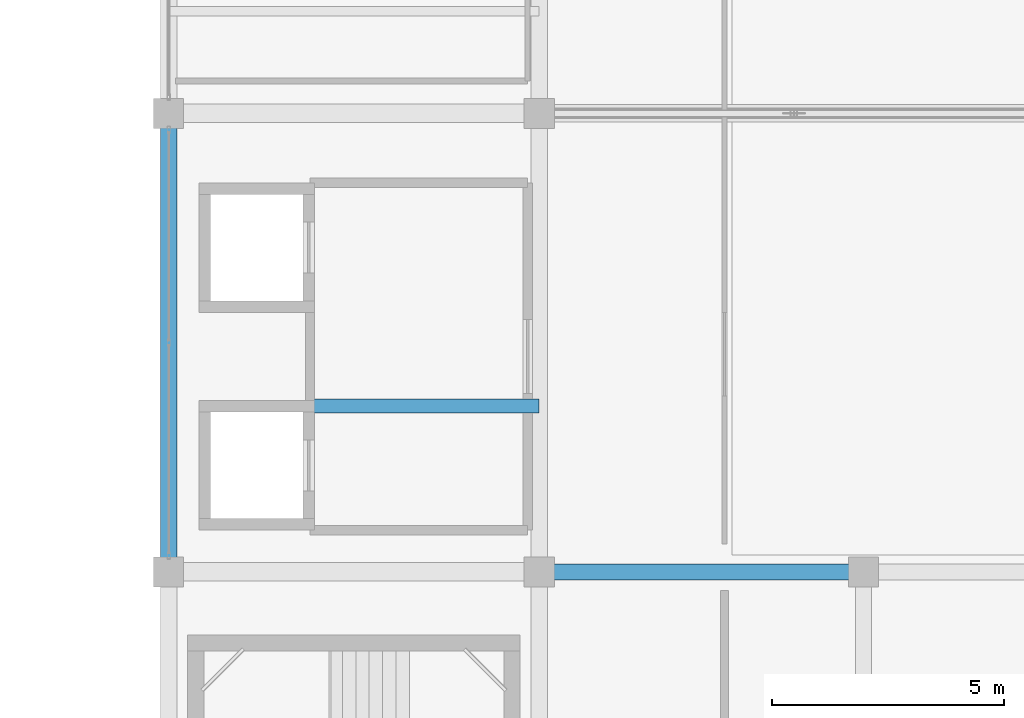
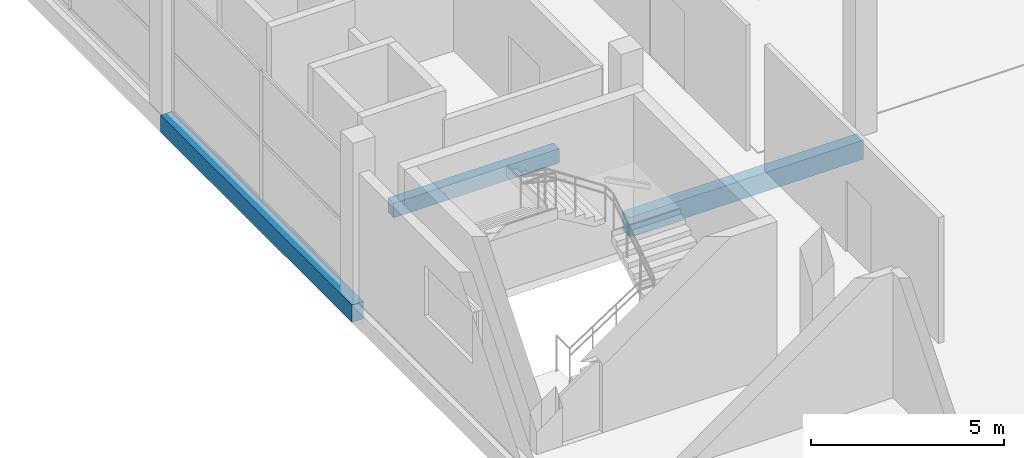
# One storey, part 7 of 58: 3 beams.
"""IFC4 building model written with IfcOpenShell, lengths in metres."""

import ifcopenshell
import ifcopenshell.guid

model = None  # the IFC model being written
_history = None  # IfcOwnerHistory: only IFC2X3 demands one
_inside = {}  # id of a spatial element -> (the spatial element, [elements in it])
_under = {}  # id of a project, library or spatial element -> (it, [spatial elements below it])
_declared = {}  # id of a project -> (the project, [libraries it declares])
_typed = {}  # id of a type object -> (the type object, [elements of that type])
_made_of = {}  # id of a material, layer set ... -> (it, [elements and type objects made of it])


def new_model(schema):
    """Start an empty IFC model of exactly this schema.

    Asked for "IFC4X3", IfcOpenShell would pick the latest addendum, in which some entities
    have other attributes; the version numbers below select the first issue.
    IFC2X3 requires an IfcOwnerHistory on every rooted entity: one is made here for all.
    """
    global model, _history
    if schema == "IFC4X3":
        model = ifcopenshell.file(schema_version=(4, 3, 0, 0))
    else:
        model = ifcopenshell.file(schema=schema)
    _inside.clear()
    _under.clear()
    _declared.clear()
    _typed.clear()
    _made_of.clear()
    _history = None
    if model.schema == "IFC2X3":
        org = make("IfcOrganization", Name="unknown")
        user = make(
            "IfcPersonAndOrganization",
            ThePerson=make("IfcPerson", FamilyName="unknown"),
            TheOrganization=org,
        )
        app = make(
            "IfcApplication",
            ApplicationDeveloper=org,
            Version="unknown",
            ApplicationFullName="unknown",
            ApplicationIdentifier="unknown",
        )
        _history = make(
            "IfcOwnerHistory",
            OwningUser=user,
            OwningApplication=app,
            ChangeAction="ADDED",
            CreationDate=0,
        )
    return model


def make(cls, **values):
    """One entity of the class cls with the attributes given. An attribute that is None is left unset."""
    return model.create_entity(
        cls, **{name: value for name, value in values.items() if value is not None}
    )


def rooted(cls, **values):
    """An entity with a GlobalId (a new one), such as an element, a storey or a relation."""
    return make(cls, GlobalId=ifcopenshell.guid.new(), OwnerHistory=_history, **values)


def si_unit(unit_type, name, prefix=None):
    """IfcSIUnit, for example si_unit("LENGTHUNIT", "METRE", prefix="MILLI")."""
    return make("IfcSIUnit", UnitType=unit_type, Prefix=prefix, Name=name)


def assignment(units):
    """IfcUnitAssignment: the units of a project."""
    return None if units is None else make("IfcUnitAssignment", Units=units)


def point(xyz):
    """IfcCartesianPoint."""
    return None if xyz is None else make("IfcCartesianPoint", Coordinates=xyz)


def direction(xyz):
    """IfcDirection."""
    return None if xyz is None else make("IfcDirection", DirectionRatios=xyz)


def frame(location, z_axis=None, x_axis=None):
    """IfcAxis2Placement3D, a coordinate frame: its origin and axes. An axis left out is left unset."""
    return make(
        "IfcAxis2Placement3D",
        Location=point(location),
        Axis=direction(z_axis),
        RefDirection=direction(x_axis),
    )


def frame_2d(location, x_axis=None):
    """IfcAxis2Placement2D, a coordinate frame in the plane: its origin and x axis."""
    return make(
        "IfcAxis2Placement2D", Location=point(location), RefDirection=direction(x_axis)
    )


def origin():
    """The frame at (0, 0, 0) with its axes left unset."""
    return frame((0.0, 0.0, 0.0))


def origin_2d():
    """The frame at (0, 0) in the plane with its x axis left unset."""
    return frame_2d((0.0, 0.0))


def place(relative_to, where):
    """IfcLocalPlacement: puts the frame where relative to a parent placement (None: the world)."""
    return make(
        "IfcLocalPlacement", PlacementRelTo=relative_to, RelativePlacement=where
    )


def context(
    kind, dimensions, precision=None, world=None, true_north=None, identifier=None
):
    """IfcGeometricRepresentationContext, for example the 3D "Model" context."""
    return make(
        "IfcGeometricRepresentationContext",
        ContextIdentifier=identifier,
        ContextType=kind,
        CoordinateSpaceDimension=dimensions,
        Precision=precision,
        WorldCoordinateSystem=world,
        TrueNorth=true_north,
    )


def subcontext(parent, identifier, kind, view, scale=None):
    """IfcGeometricRepresentationSubContext, for example "Body" below "Model"."""
    return make(
        "IfcGeometricRepresentationSubContext",
        ContextIdentifier=identifier,
        ContextType=kind,
        ParentContext=parent,
        TargetScale=scale,
        TargetView=view,
    )


def project(units=None, contexts=None):
    """IfcProject with its units and contexts."""
    return rooted(
        "IfcProject",
        Name="project",
        RepresentationContexts=contexts,
        UnitsInContext=assignment(units),
    )


def spatial(cls, under=None, at=None, **own):
    """A site, building, storey or space (cls), placed at a placement, below another one or the project."""
    s = rooted(cls, ObjectPlacement=at, **own)
    if under is not None:
        _under.setdefault(under.id(), (under, []))[1].append(s)
    return s


def profile(cls, at=None, kind="AREA", **sizes):
    """A parametric profile (cls). Its sizes go by their IFC names, for example OverallWidth=200.0."""
    return make(cls, ProfileType=kind, Position=at, **sizes)


def rectangle(**sizes):
    """IfcRectangleProfileDef."""
    return profile("IfcRectangleProfileDef", **sizes)


def extrude(swept, where, along, depth):
    """IfcExtrudedAreaSolid: the profile swept, set in the frame where, extruded along a direction by depth."""
    return make(
        "IfcExtrudedAreaSolid",
        SweptArea=swept,
        Position=where,
        ExtrudedDirection=direction(along),
        Depth=depth,
    )


def shape(context_of_items, identifier, shape_type, items):
    """IfcShapeRepresentation: the items that make up one representation, for example the "Body"."""
    return make(
        "IfcShapeRepresentation",
        ContextOfItems=context_of_items,
        RepresentationIdentifier=identifier,
        RepresentationType=shape_type,
        Items=items,
    )


def material(Name=None, Category=None):
    """IfcMaterial."""
    return make("IfcMaterial", Name=Name, Category=Category)


def material_profile(
    of_material, cross_section, Name=None, Category=None, Priority=None
):
    """IfcMaterialProfile: a cross section and its material."""
    return make(
        "IfcMaterialProfile",
        Name=Name,
        Material=of_material,
        Profile=cross_section,
        Priority=Priority,
        Category=Category,
    )


def profile_set(profiles, Name=None, composite=None):
    """IfcMaterialProfileSet."""
    return make(
        "IfcMaterialProfileSet",
        Name=Name,
        MaterialProfiles=profiles,
        CompositeProfile=composite,
    )


def made_of(thing, what):
    """Note that an element or type object is made of a material, layer set ...; save() writes the relation."""
    if what is not None:
        _made_of.setdefault(what.id(), (what, []))[1].append(thing)
    return thing


def type_object(cls, material=None, **own):
    """A type object (cls), such as IfcWallType, which elements share."""
    return made_of(rooted(cls, **own), material)


def element(
    cls,
    number,
    at=None,
    inside=None,
    cuts=None,
    type_object=None,
    material=None,
    context=None,
    identifier="Body",
    shape_type=None,
    held_by="IfcProductDefinitionShape",
    body=None,
    shapes=None,
    **own,
):
    """One element of the class cls, such as IfcWall. Its Tag is "e" and its number.

    at: its placement. inside: the storey or other place that contains it. cuts: it is an
    opening in that element (IfcRelVoidsElement). A single representation is given by context,
    identifier, shape_type and body (its items); several are given by shapes. held_by: the class
    of the entity that holds the representations. save() writes the other relations.
    """
    e = rooted(cls, Tag="e%d" % number, ObjectPlacement=at, **own)
    if body is not None:
        shapes = [shape(context, identifier, shape_type, body)]
    if shapes is not None:
        e.Representation = make(held_by, Representations=shapes)
    if inside is not None:
        _inside.setdefault(inside.id(), (inside, []))[1].append(e)
    if cuts is not None:
        rooted(
            "IfcRelVoidsElement", RelatingBuildingElement=cuts, RelatedOpeningElement=e
        )
    if type_object is not None:
        _typed.setdefault(type_object.id(), (type_object, []))[1].append(e)
    return made_of(e, material)


def aggregate(whole, parts):
    """IfcRelAggregates: a whole, such as a stair, and the parts it consists of."""
    return rooted("IfcRelAggregates", RelatingObject=whole, RelatedObjects=parts)


def save(model, path):
    """Write the relations noted so far, then the file.

    IfcRelAggregates (storeys below a building ...), IfcRelContainedInSpatialStructure (elements
    in a storey), IfcRelDefinesByType, IfcRelAssociatesMaterial and IfcRelDeclares: one each for
    every whole, place, type object, material and project.
    """
    for whole, parts in _under.values():
        aggregate(whole, parts)
    for where, things in _inside.values():
        rooted(
            "IfcRelContainedInSpatialStructure",
            RelatedElements=things,
            RelatingStructure=where,
        )
    for kind, things in _typed.values():
        rooted("IfcRelDefinesByType", RelatedObjects=things, RelatingType=kind)
    for what, things in _made_of.values():
        rooted("IfcRelAssociatesMaterial", RelatedObjects=things, RelatingMaterial=what)
    for by, libraries in _declared.values():
        rooted("IfcRelDeclares", RelatingContext=by, RelatedDefinitions=libraries)
    model.write(path)


model = new_model("IFC4")

# Units and contexts
model_context = context("Model", 3, precision=1e-05, world=origin(), true_north=direction((0.0, 1.0)))
body_context = subcontext(model_context, "Body", "Model", "MODEL_VIEW")
ifc_project = project(units=[si_unit("LENGTHUNIT", "METRE"), si_unit("AREAUNIT", "SQUARE_METRE"), si_unit("VOLUMEUNIT", "CUBIC_METRE"), si_unit("PLANEANGLEUNIT", "RADIAN"), si_unit("MASSUNIT", "GRAM", prefix="KILO")], contexts=[model_context])

# Site, building, storey
site_placement = place(None, origin())
site = spatial("IfcSite", under=ifc_project, at=site_placement, CompositionType="ELEMENT")
building_placement = place(site_placement, origin())
building = spatial("IfcBuilding", under=site, at=building_placement, Name="Sillaruma Civic Art Gallery", CompositionType="ELEMENT")
storey_placement = place(building_placement, frame((0.0, 0.0, 52.02001953125)))
storey = spatial("IfcBuildingStorey", under=building, at=storey_placement, Name="L10", CompositionType="ELEMENT", Elevation=52.02001953125)

# Beams
ifc_material = material(Name="Concrete H35 (35 MPa)", Category="concrete")
ifc_material_profile_1 = material_profile(ifc_material, rectangle(XDim=0.35009765625, YDim=0.60009765625, at=origin_2d()), Name="RCB350x600")
ifc_profile_set_1 = profile_set([ifc_material_profile_1], Name="Concrete H35 (35 MPa)")
beam_type_1 = type_object("IfcBeamType", Name="BM-BEAM-RCB350x600", PredefinedType="BEAM", material=ifc_profile_set_1)
beam_1_placement = place(storey_placement, frame((70.0, 39.60009765625, -0.550048828125), z_axis=(1.0, 0.0, 0.0), x_axis=(0.0, 1.0, 0.0)))
element("IfcBeam", 1, at=beam_1_placement, inside=storey, type_object=beam_type_1, Name="Beam BM-06 (L09:5:G-H)", PredefinedType="BEAM", context=body_context, shape_type="SweptSolid", body=[
    extrude(rectangle(XDim=0.35009765625, YDim=0.60009765625, at=origin_2d()), origin(), (0.0, 0.0, 1.0), 7.0),
])
ifc_material_profile_2 = material_profile(ifc_material, rectangle(XDim=0.300048828125, YDim=0.4599609375, at=origin_2d()), Name="RCB300x460")
ifc_profile_set_2 = profile_set([ifc_material_profile_2], Name="Concrete H35 (35 MPa)")
beam_type_2 = type_object("IfcBeamType", Name="BM-LINTEL-RCB300x460", PredefinedType="LINTEL", material=ifc_profile_set_2)
beam_2_placement = place(storey_placement, frame((65.050048828125, 43.179931640625, -0.47998046875), z_axis=(1.0, 0.0, 0.0), x_axis=(0.0, 1.0, 0.0)))
element("IfcBeam", 2, at=beam_2_placement, inside=storey, type_object=beam_type_2, Name="Core Portal Coupling Lintel BL-01 (L09:PL1)", PredefinedType="LINTEL", context=body_context, shape_type="SweptSolid", body=[
    extrude(rectangle(XDim=0.300048828125, YDim=0.4599609375, at=origin_2d()), origin(), (0.0, 0.0, 1.0), 4.949951171875),
])
ifc_material_profile_3 = material_profile(ifc_material, rectangle(XDim=0.35009765625, YDim=0.550048828125, at=origin_2d()), Name="RCB350x550")
ifc_profile_set_3 = profile_set([ifc_material_profile_3], Name="Concrete H35 (35 MPa)")
beam_type_3 = type_object("IfcBeamType", Name="BM-SPANDREL-RCB350x550", PredefinedType="SPANDREL", material=ifc_profile_set_3)
beam_3_placement = place(storey_placement, frame((62.0, 39.60009765625, -0.52490234375), z_axis=(0.0, 1.0, 0.0), x_axis=(-1.0, 0.0, 0.0)))
element("IfcBeam", 3, at=beam_3_placement, inside=storey, type_object=beam_type_3, Name="Beam BS-04 (L09:F:5-6)", PredefinedType="SPANDREL", context=body_context, shape_type="SweptSolid", body=[
    extrude(rectangle(XDim=0.35009765625, YDim=0.550048828125, at=origin_2d()), origin(), (0.0, 0.0, 1.0), 9.89990234375),
])

save(model, "model.ifc")
